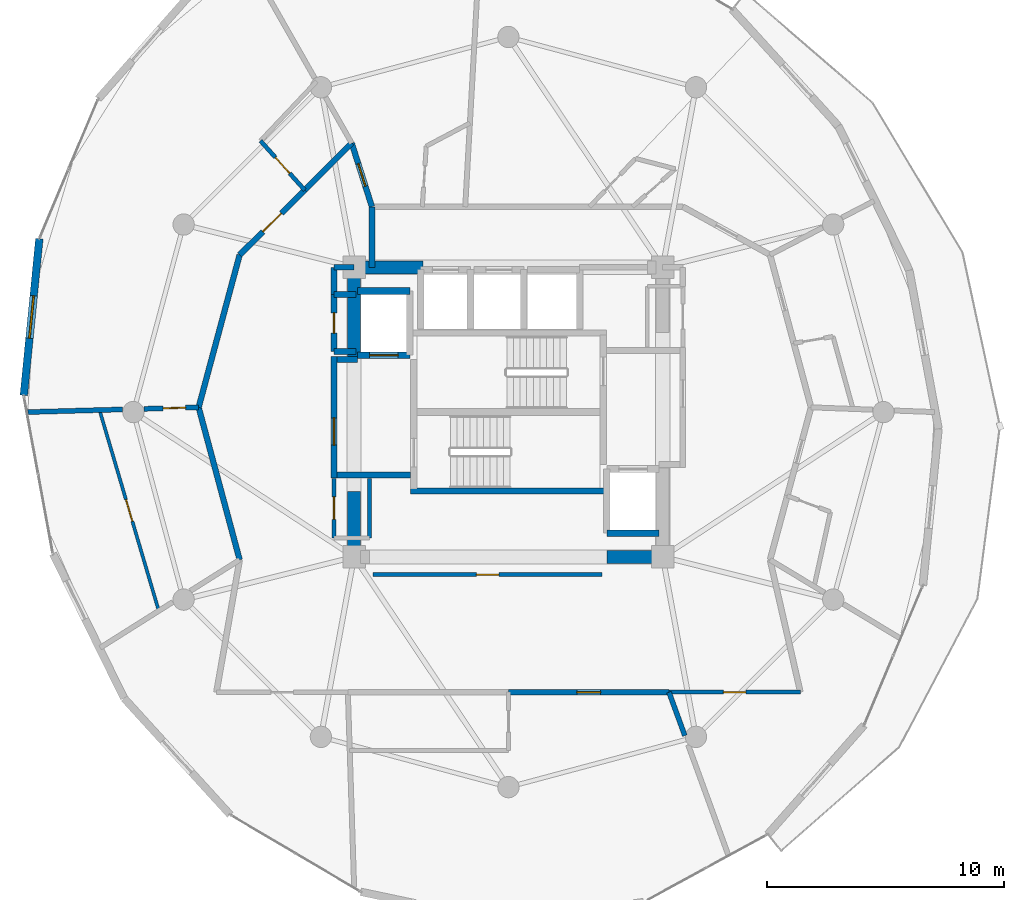
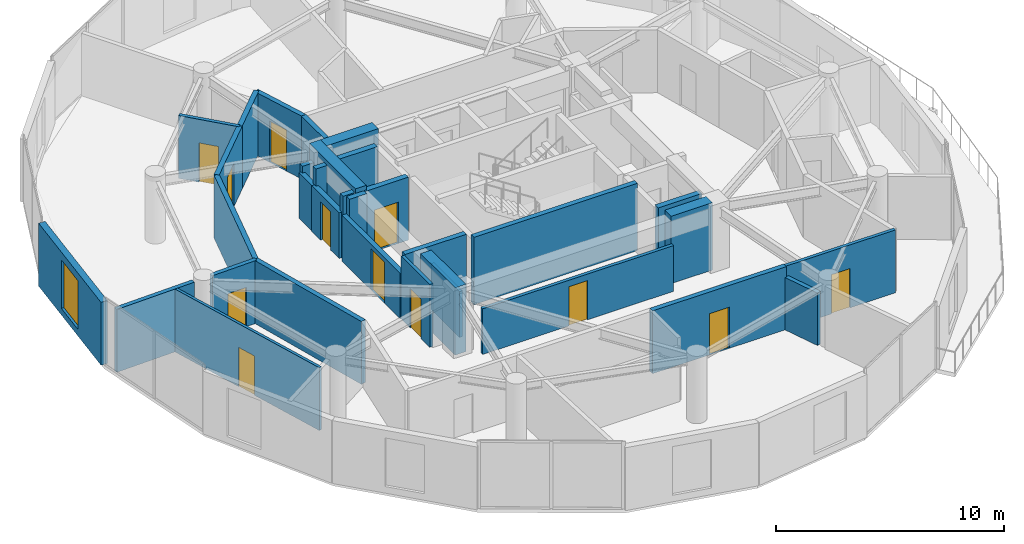
# One storey, part 17 of 21: 33 walls, 12 doors, 1 window, 13 openings.
"""IFC4 building model written with IfcOpenShell, lengths in metres."""

from ifc_helpers import new_model, si_unit, direction, frame, frame_2d, origin, place, context, subcontext, project, spatial, rectangle, extrude, material, layer, layer_set, type_object, element, fill, save


model = new_model("IFC4")

# Units and contexts
model_context = context("Model", 3, precision=1e-05, world=origin(), true_north=direction((0.0, 1.0)))
body_context = subcontext(model_context, "Body", "Model", "MODEL_VIEW")
ifc_project = project(units=[si_unit("LENGTHUNIT", "METRE"), si_unit("AREAUNIT", "SQUARE_METRE"), si_unit("VOLUMEUNIT", "CUBIC_METRE"), si_unit("PLANEANGLEUNIT", "RADIAN"), si_unit("MASSUNIT", "GRAM", prefix="KILO")], contexts=[model_context])

# Site, building, storey
site_placement = place(None, origin())
site = spatial("IfcSite", under=ifc_project, at=site_placement, CompositionType="ELEMENT")
building_placement = place(site_placement, origin())
building = spatial("IfcBuilding", under=site, at=building_placement, Name="Solvirekh Grand Hotel", CompositionType="ELEMENT")
storey_placement = place(building_placement, frame((0.0, 0.0, 223.60009765625)))
storey = spatial("IfcBuildingStorey", under=building, at=storey_placement, Name="L58", CompositionType="ELEMENT", Elevation=223.60009765625)

# Wall
ifc_material_1 = material(Name="Concrete C50/60", Category="concrete")
ifc_layer_1 = layer(ifc_material_1, 0.35009765625)
ifc_layer_set_1 = layer_set([ifc_layer_1], Name="Concrete C50/60")
wall_type_1 = type_object("IfcWallType", Name="CoreDivWall_RC350", PredefinedType="SOLIDWALL", material=ifc_layer_set_1)
wall_1_placement = place(storey_placement, frame((-4.1298828125, -3.324951171875, 0.0), z_axis=(0.0, 0.0, 1.0), x_axis=(1.0, 0.0, 0.0)))
element("IfcWall", 1, at=wall_1_placement, inside=storey, type_object=wall_type_1, Name="L58 core stair box wall ST-S", PredefinedType="SOLIDWALL", context=body_context, shape_type="SweptSolid", body=[
    extrude(rectangle(XDim=8.259765625, YDim=0.25, at=frame_2d((4.1298828125, 0.0))), origin(), (0.0, 0.0, 1.0), 3.599853515625),
])

# Wall, opening, door
ifc_material_2 = material(Name="Concrete C40/50", Category="concrete")
ifc_layer_2 = layer(ifc_material_2, 0.280029296875)
ifc_layer_set_2 = layer_set([ifc_layer_2], Name="Concrete C40/50")
wall_type_2 = type_object("IfcWallType", Name="CoreShaftWall_RC280", PredefinedType="SOLIDWALL", material=ifc_layer_set_2)
wall_2_placement = place(storey_placement, frame((-6.35009765625, 2.39990234375, 0.0), z_axis=(0.0, 0.0, 1.0), x_axis=(1.0, 0.0, 0.0)))
wall_2 = element("IfcWall", 2, at=wall_2_placement, inside=storey, type_object=wall_type_2, Name="L58 FL-1 hoistway S wall", PredefinedType="SOLIDWALL", context=body_context, shape_type="SweptSolid", body=[
    extrude(rectangle(XDim=2.2001953125, YDim=0.280029296875, at=frame_2d((1.10009765625, 0.0))), origin(), (0.0, 0.0, 1.0), 3.35986328125),
])
opening_1_placement = place(wall_2_placement, frame((0.5, 0.0, 0.0)))
opening_1 = element("IfcOpeningElement", 3, at=opening_1_placement, cuts=wall_2, Name="Opening LD02", PredefinedType="OPENING", context=body_context, shape_type="SweptSolid", body=[
    extrude(rectangle(XDim=1.199951171875, YDim=2.199951171875, at=frame_2d((0.60009765625, 1.10009765625))), frame((0.0, 0.14990234375, 0.0), z_axis=(0.0, -1.0, 0.0), x_axis=(1.0, 0.0, 0.0)), (0.0, 0.0, 1.0), 0.300048828125),
])
ifc_material_3 = material(Name="Fire-Rated Steel Door Assembly", Category="steel")
door_type_1 = type_object("IfcDoorType", Name="Door_LiftFF_1200X2200", OperationType="SLIDING_TO_LEFT", PredefinedType="DOOR", material=ifc_material_3)
door_1_placement = place(opening_1_placement, origin())
door_1 = element("IfcDoor", 4, at=door_1_placement, inside=storey, type_object=door_type_1, Name="L58 FL-1 sliding lift landing door", OperationType="SLIDING_TO_LEFT", OverallHeight=2.199951171875, OverallWidth=1.199951171875, PredefinedType="DOOR", context=body_context, shape_type="SweptSolid", body=[
    extrude(rectangle(XDim=1.199951171875, YDim=2.199951171875, at=frame_2d((0.60009765625, 1.10009765625))), frame((0.0, 0.02490234375, 0.0), z_axis=(0.0, -1.0, 0.0), x_axis=(1.0, 0.0, 0.0)), (0.0, 0.0, 1.0), 0.050048828125),
])
fill(opening_1, door_1)

# Walls
for number, where, z_axis, x_axis, name in (
    (5, (-4.14990234375, 5.10009765625, 0.0), (0.0, 0.0, 1.0), (-1.0, 0.0, 0.0), "L58 FL-1 hoistway N wall"),
    (6, (4.14990234375, -5.10009765625, 0.0), (0.0, 0.0, 1.0), (1.0, 0.0, 0.0), "L58 FL-2 hoistway S wall"),
):
    element("IfcWall", number, at=place(storey_placement, frame(where, z_axis=z_axis, x_axis=x_axis)), inside=storey, type_object=wall_type_2, Name=name, PredefinedType="SOLIDWALL", context=body_context, shape_type="SweptSolid", body=[
        extrude(rectangle(XDim=2.2001953125, YDim=0.280029296875, at=frame_2d((1.10009765625, 0.0))), origin(), (0.0, 0.0, 1.0), 3.35986328125),
    ])
ifc_layer_3 = layer(ifc_material_1, 0.550048828125)
ifc_layer_set_3 = layer_set([ifc_layer_3], Name="Concrete C50/60")
wall_type_3 = type_object("IfcWallType", Name="CoreWall_RC550", PredefinedType="SHEAR", material=ifc_layer_set_3)
wall_3_placement = place(storey_placement, frame((4.14990234375, -6.10009765625, 0.0), z_axis=(0.0, 0.0, 1.0), x_axis=(1.0, 0.0, 0.0)))
element("IfcWall", 7, at=wall_3_placement, inside=storey, type_object=wall_type_3, Name="L58 core corner shear wall SE-S", PredefinedType="SHEAR", context=body_context, shape_type="SweptSolid", body=[
    extrude(rectangle(XDim=2.0751953125, YDim=0.550048828125, at=frame_2d((1.03759765625, 0.0))), origin(), (0.0, 0.0, 1.0), 3.599853515625),
])
wall_4_placement = place(storey_placement, frame((-6.22509765625, 6.10009765625, 0.0), z_axis=(0.0, 0.0, 1.0), x_axis=(1.0, 0.0, 0.0)))
element("IfcWall", 8, at=wall_4_placement, inside=storey, type_object=wall_type_3, Name="L58 core corner shear wall NW-N", PredefinedType="SHEAR", context=body_context, shape_type="SweptSolid", body=[
    extrude(rectangle(XDim=2.625, YDim=0.550048828125, at=frame_2d((1.3125, 0.0))), origin(), (0.0, 0.0, 1.0), 3.599853515625),
])
wall_5_placement = place(storey_placement, frame((-6.5, 2.35009765625, 0.0), z_axis=(0.0, 0.0, 1.0), x_axis=(0.0, 1.0, 0.0)))
element("IfcWall", 9, at=wall_5_placement, inside=storey, type_object=wall_type_3, Name="L58 core corner shear wall WN-W", PredefinedType="SHEAR", context=body_context, shape_type="SweptSolid", body=[
    extrude(rectangle(XDim=4.02490234375, YDim=0.550048828125, at=frame_2d((2.012451171875, 0.0))), origin(), (0.0, 0.0, 1.0), 3.599853515625),
])
wall_6_placement = place(storey_placement, frame((-6.5, -6.375, 0.0), z_axis=(0.0, 0.0, 1.0), x_axis=(0.0, 1.0, 0.0)))
element("IfcWall", 10, at=wall_6_placement, inside=storey, type_object=wall_type_3, Name="L58 core corner shear wall WS-W", PredefinedType="SHEAR", context=body_context, shape_type="SweptSolid", body=[
    extrude(rectangle(XDim=3.02490234375, YDim=0.550048828125, at=frame_2d((1.512451171875, 0.0))), origin(), (0.0, 0.0, 1.0), 3.599853515625),
])

# Wall, opening, window
ifc_material_4 = material(Name="Precast concrete C45/55", Category="concrete")
ifc_layer_4 = layer(ifc_material_4, 0.320068359375)
ifc_layer_set_4 = layer_set([ifc_layer_4], Name="Precast concrete C45/55")
wall_type_4 = type_object("IfcWallType", Name="ExtLobbyWall_RC320", PredefinedType="SOLIDWALL", material=ifc_layer_set_4)
wall_7_placement = place(storey_placement, frame((-20.4169921875, 0.700927734375, 0.0), z_axis=(0.0, 0.0, 1.0), x_axis=(0.098848078175, 0.995102536144, 0.0)))
wall_7 = element("IfcWall", 11, at=wall_7_placement, inside=storey, type_object=wall_type_4, Name="L58 exterior structural wall chord 14", PredefinedType="SOLIDWALL", context=body_context, shape_type="SweptSolid", body=[
    extrude(rectangle(XDim=6.636474609375, YDim=0.320068359375, at=frame_2d((3.318359375, 0.0))), origin(), (0.0, 0.0, 1.0), 3.35986328125),
])
opening_2_placement = place(wall_7_placement, frame((2.41796875, 0.0, 0.35009765625)))
opening_2 = element("IfcOpeningElement", 12, at=opening_2_placement, cuts=wall_7, Name="Opening W02", PredefinedType="OPENING", context=body_context, shape_type="SweptSolid", body=[
    extrude(rectangle(XDim=1.800048828125, YDim=2.60009765625, at=frame_2d((0.89990234375, 1.300048828125))), frame((0.0, 0.169921875, 0.0), z_axis=(0.0, -1.0, 0.0), x_axis=(1.0, 0.0, 0.0)), (0.0, 0.0, 1.0), 0.340087890625),
])
ifc_material_5 = material(Name="Low-E Tinted Bronze Laminated Glass", Category="aluminium")
window_type = type_object("IfcWindowType", Name="Win_LobbyExt_1800X2600", PartitioningType="SINGLE_PANEL", PredefinedType="WINDOW", material=ifc_material_5)
window_placement = place(opening_2_placement, origin())
window = element("IfcWindow", 13, at=window_placement, inside=storey, type_object=window_type, Name="L58 panoramic bronze-framed window 14", OverallHeight=2.60009765625, OverallWidth=1.800048828125, PartitioningType="SINGLE_PANEL", PredefinedType="WINDOW", context=body_context, shape_type="SweptSolid", body=[
    extrude(rectangle(XDim=1.800048828125, YDim=2.60009765625, at=frame_2d((0.89990234375, 1.300048828125))), frame((0.0, 0.030029296875, 0.0), z_axis=(0.0, -1.0, 0.0), x_axis=(1.0, 0.0, 0.0)), (0.0, 0.0, 1.0), 0.06005859375),
])
fill(opening_2, window)

# Wall
ifc_material_6 = material(Name="Acoustic Gypsum Partition Assembly")
ifc_layer_5 = layer(ifc_material_6, 0.1650390625)
ifc_layer_set_5 = layer_set([ifc_layer_5], Name="Acoustic Gypsum Partition Assembly")
wall_type_5 = type_object("IfcWallType", Name="Part_BOH_165", PredefinedType="PARTITIONING", material=ifc_layer_set_5)
wall_8_placement = place(storey_placement, frame((-5.85009765625, -5.300048828125, 0.0), z_axis=(0.0, 0.0, 1.0), x_axis=(0.0, 1.0, 0.0)))
element("IfcWall", 14, at=wall_8_placement, inside=storey, type_object=wall_type_5, Name="L58 L58 Core Linen Store wall 2", PredefinedType="PARTITIONING", context=body_context, shape_type="SweptSolid", body=[
    extrude(rectangle(XDim=2.5, YDim=0.1650390625, at=frame_2d((1.25, 0.0))), origin(), (0.0, 0.0, 1.0), 2.44482421875),
])

# Wall, opening, door
wall_9_placement = place(storey_placement, frame((-7.35009765625, -2.800048828125, 0.0), z_axis=(0.0, 0.0, 1.0), x_axis=(0.0, -1.0, 0.0)))
wall_9 = element("IfcWall", 15, at=wall_9_placement, inside=storey, type_object=wall_type_5, Name="L58 L58 Core Linen Store wall 4", PredefinedType="PARTITIONING", context=body_context, shape_type="SweptSolid", body=[
    extrude(rectangle(XDim=2.5, YDim=0.1650390625, at=frame_2d((1.25, 0.0))), origin(), (0.0, 0.0, 1.0), 3.35986328125),
])
opening_3_placement = place(wall_9_placement, frame((0.77490234375, 0.0, 0.0)))
opening_3 = element("IfcOpeningElement", 16, at=opening_3_placement, cuts=wall_9, Name="Opening D10", PredefinedType="OPENING", context=body_context, shape_type="SweptSolid", body=[
    extrude(rectangle(XDim=0.949951171875, YDim=2.10009765625, at=frame_2d((0.47509765625, 1.050048828125))), frame((0.0, 0.092529296875, 0.0), z_axis=(0.0, -1.0, 0.0), x_axis=(1.0, 0.0, 0.0)), (0.0, 0.0, 1.0), 0.18505859375),
])
ifc_material_7 = material(Name="Anodized Bronze Aluminium 6063-T6", Category="aluminium")
door_type_2 = type_object("IfcDoorType", Name="Door_RoomInt_950X2100", OperationType="NOTDEFINED", PredefinedType="DOOR", material=ifc_material_7)
door_2_placement = place(opening_3_placement, origin())
door_2 = element("IfcDoor", 17, at=door_2_placement, inside=storey, type_object=door_type_2, Name="L58 L58 Core Linen Store door", OperationType="SINGLE_SWING_RIGHT", OverallHeight=2.10009765625, OverallWidth=0.949951171875, PredefinedType="DOOR", context=body_context, shape_type="SweptSolid", body=[
    extrude(rectangle(XDim=0.949951171875, YDim=2.10009765625, at=frame_2d((0.47509765625, 1.050048828125))), frame((0.0, 0.02490234375, 0.0), z_axis=(0.0, -1.0, 0.0), x_axis=(1.0, 0.0, 0.0)), (0.0, 0.0, 1.0), 0.050048828125),
])
fill(opening_3, door_2)

wall_10_placement = place(storey_placement, frame((-5.699951171875, -6.85009765625, 0.0), z_axis=(0.0, 0.0, 1.0), x_axis=(1.0, 0.0, 0.0)))
wall_10 = element("IfcWall", 18, at=wall_10_placement, inside=storey, type_object=wall_type_5, Name="L58 Housekeeping & Linen Store wall 1", PredefinedType="PARTITIONING", context=body_context, shape_type="SweptSolid", body=[
    extrude(rectangle(XDim=9.64990234375, YDim=0.1650390625, at=frame_2d((4.824951171875, 0.0))), origin(), (0.0, 0.0, 1.0), 2.44482421875),
])
opening_4_placement = place(wall_10_placement, frame((4.35009765625, 0.0, 0.0)))
opening_4 = element("IfcOpeningElement", 19, at=opening_4_placement, cuts=wall_10, Name="Opening D10", PredefinedType="OPENING", context=body_context, shape_type="SweptSolid", body=[
    extrude(rectangle(XDim=0.949951171875, YDim=2.10009765625, at=frame_2d((0.47509765625, 1.050048828125))), frame((0.0, 0.092529296875, 0.0), z_axis=(0.0, -1.0, 0.0), x_axis=(1.0, 0.0, 0.0)), (0.0, 0.0, 1.0), 0.18505859375),
])
door_3_placement = place(opening_4_placement, origin())
door_3 = element("IfcDoor", 20, at=door_3_placement, inside=storey, type_object=door_type_2, Name="L58 Housekeeping & Linen Store door", OperationType="SINGLE_SWING_RIGHT", OverallHeight=2.10009765625, OverallWidth=0.949951171875, PredefinedType="DOOR", context=body_context, shape_type="SweptSolid", body=[
    extrude(rectangle(XDim=0.949951171875, YDim=2.10009765625, at=frame_2d((0.47509765625, 1.050048828125))), frame((0.0, 0.02490234375, 0.0), z_axis=(0.0, -1.0, 0.0), x_axis=(1.0, 0.0, 0.0)), (0.0, 0.0, 1.0), 0.050048828125),
])
fill(opening_4, door_3)

wall_11_placement = place(storey_placement, frame((6.764892578125, -11.800048828125, 0.0), z_axis=(0.0, 0.0, 1.0), x_axis=(1.0, 0.0, 0.0)))
wall_11 = element("IfcWall", 21, at=wall_11_placement, inside=storey, type_object=wall_type_5, Name="L58 L58 Butler Valet & Linen Steward Room entrance wall", PredefinedType="PARTITIONING", context=body_context, shape_type="SweptSolid", body=[
    extrude(rectangle(XDim=5.53515625, YDim=0.1650390625, at=frame_2d((2.767578125, 0.0))), origin(), (0.0, 0.0, 1.0), 3.35986328125),
])
opening_5_placement = place(wall_11_placement, frame((2.29296875, 0.0, 0.0)))
opening_5 = element("IfcOpeningElement", 22, at=opening_5_placement, cuts=wall_11, Name="Opening D10", PredefinedType="OPENING", context=body_context, shape_type="SweptSolid", body=[
    extrude(rectangle(XDim=0.949951171875, YDim=2.10009765625, at=frame_2d((0.47509765625, 1.050048828125))), frame((0.0, 0.092529296875, 0.0), z_axis=(0.0, -1.0, 0.0), x_axis=(1.0, 0.0, 0.0)), (0.0, 0.0, 1.0), 0.18505859375),
])
door_4_placement = place(opening_5_placement, origin())
door_4 = element("IfcDoor", 23, at=door_4_placement, inside=storey, type_object=door_type_2, Name="L58 L58 Butler Valet & Linen Steward Room entrance door", OperationType="SINGLE_SWING_LEFT", OverallHeight=2.10009765625, OverallWidth=0.949951171875, PredefinedType="DOOR", context=body_context, shape_type="SweptSolid", body=[
    extrude(rectangle(XDim=0.949951171875, YDim=2.10009765625, at=frame_2d((0.47509765625, 1.050048828125))), frame((0.0, 0.02490234375, 0.0), z_axis=(0.0, -1.0, 0.0), x_axis=(1.0, 0.0, 0.0)), (0.0, 0.0, 1.0), 0.050048828125),
])
fill(opening_5, door_4)

ifc_layer_6 = layer(ifc_material_6, 0.239990234375)
ifc_layer_set_6 = layer_set([ifc_layer_6], Name="Acoustic Gypsum Partition Assembly")
wall_type_6 = type_object("IfcWallType", Name="Part_Corridor_240", PredefinedType="PARTITIONING", material=ifc_layer_set_6)
wall_12_placement = place(storey_placement, frame((-7.35009765625, -2.780029296875, 0.0), z_axis=(0.0, 0.0, 1.0), x_axis=(0.0, 1.0, 0.0)))
wall_12 = element("IfcWall", 24, at=wall_12_placement, inside=storey, type_object=wall_type_6, Name="L58 west firefighting lobby smoke screen wall", PredefinedType="PARTITIONING", context=body_context, shape_type="SweptSolid", body=[
    extrude(rectangle(XDim=5.1201171875, YDim=0.239990234375, at=frame_2d((2.56005859375, 0.0))), origin(), (0.0, 0.0, 1.0), 2.44482421875),
])
opening_6_placement = place(wall_12_placement, frame((1.388916015625, 0.0, 0.0)))
opening_6 = element("IfcOpeningElement", 25, at=opening_6_placement, cuts=wall_12, Name="Opening D06", PredefinedType="OPENING", context=body_context, shape_type="SweptSolid", body=[
    extrude(rectangle(XDim=1.14990234375, YDim=2.199951171875, at=frame_2d((0.574951171875, 1.10009765625))), frame((0.0, 0.1298828125, 0.0), z_axis=(0.0, -1.0, 0.0), x_axis=(1.0, 0.0, 0.0)), (0.0, 0.0, 1.0), 0.260009765625),
])
door_type_3 = type_object("IfcDoorType", Name="Door_FFLobby_1150X2200", OperationType="NOTDEFINED", PredefinedType="DOOR", material=ifc_material_3)
door_5_placement = place(opening_6_placement, origin())
door_5 = element("IfcDoor", 26, at=door_5_placement, inside=storey, type_object=door_type_3, Name="L58 west firefighting lobby smoke door", OperationType="SINGLE_SWING_LEFT", OverallHeight=2.199951171875, OverallWidth=1.14990234375, PredefinedType="DOOR", context=body_context, shape_type="SweptSolid", body=[
    extrude(rectangle(XDim=1.14990234375, YDim=2.199951171875, at=frame_2d((0.574951171875, 1.10009765625))), frame((0.0, 0.02490234375, 0.0), z_axis=(0.0, -1.0, 0.0), x_axis=(1.0, 0.0, 0.0)), (0.0, 0.0, 1.0), 0.050048828125),
])
fill(opening_6, door_5)

# Walls
wall_13_placement = place(storey_placement, frame((-5.75, 6.10009765625, 0.0), z_axis=(0.0, 0.0, 1.0), x_axis=(0.0, 1.0, 0.0)))
element("IfcWall", 27, at=wall_13_placement, inside=storey, type_object=wall_type_6, Name="L58 north lift lobby west wall", PredefinedType="PARTITIONING", context=body_context, shape_type="SweptSolid", body=[
    extrude(rectangle(XDim=2.5498046875, YDim=0.239990234375, at=frame_2d((1.27490234375, 0.0))), origin(), (0.0, 0.0, 1.0), 3.35986328125),
])
wall_14_placement = place(storey_placement, frame((-7.35009765625, 4.949951171875, 0.0), z_axis=(0.0, 0.0, 1.0), x_axis=(0.0, 1.0, 0.0)))
element("IfcWall", 28, at=wall_14_placement, inside=storey, type_object=wall_type_6, Name="L58 NW core cheek closure wall", PredefinedType="PARTITIONING", context=body_context, shape_type="SweptSolid", body=[
    extrude(rectangle(XDim=1.150146484375, YDim=0.239990234375, at=frame_2d((0.5751953125, 0.0))), origin(), (0.0, 0.0, 1.0), 2.44482421875),
])
wall_15_placement = place(storey_placement, frame((-7.35009765625, 6.10009765625, 0.0), z_axis=(0.0, 0.0, 1.0), x_axis=(1.0, 0.0, 0.0)))
element("IfcWall", 29, at=wall_15_placement, inside=storey, type_object=wall_type_6, Name="L58 NW core corner tie wall", PredefinedType="PARTITIONING", context=body_context, shape_type="SweptSolid", body=[
    extrude(rectangle(XDim=0.85009765625, YDim=0.239990234375, at=frame_2d((0.425048828125, 0.0))), origin(), (0.0, 0.0, 1.0), 2.80078125),
])

# Wall, opening, door
wall_16_placement = place(storey_placement, frame((-6.60009765625, 11.327880859375, 0.0), z_axis=(0.0, 0.0, 1.0), x_axis=(0.30256159068, -0.953129835775, 0.0)))
wall_16 = element("IfcWall", 30, at=wall_16_placement, inside=storey, type_object=wall_type_6, Name="L58 Deluxe Guestroom 6002 entrance wall", PredefinedType="PARTITIONING", context=body_context, shape_type="SweptSolid", body=[
    extrude(rectangle(XDim=2.8095703125, YDim=0.239990234375, at=frame_2d((1.40478515625, 0.0))), origin(), (0.0, 0.0, 1.0), 3.35986328125),
])
opening_7_placement = place(wall_16_placement, frame((0.905029296875, 0.0, 0.0)))
opening_7 = element("IfcOpeningElement", 31, at=opening_7_placement, cuts=wall_16, Name="Opening D07", PredefinedType="OPENING", context=body_context, shape_type="SweptSolid", body=[
    extrude(rectangle(XDim=1.0, YDim=2.199951171875, at=frame_2d((0.5, 1.10009765625))), frame((0.0, 0.1298828125, 0.0), z_axis=(0.0, -1.0, 0.0), x_axis=(1.0, 0.0, 0.0)), (0.0, 0.0, 1.0), 0.260009765625),
])
door_type_4 = type_object("IfcDoorType", Name="Door_GuestEntry_1000X2200", OperationType="NOTDEFINED", PredefinedType="DOOR", material=ifc_material_3)
door_6_placement = place(opening_7_placement, origin())
door_6 = element("IfcDoor", 32, at=door_6_placement, inside=storey, type_object=door_type_4, Name="L58 Deluxe Guestroom 6002 entrance door", OperationType="SINGLE_SWING_LEFT", OverallHeight=2.199951171875, OverallWidth=1.0, PredefinedType="DOOR", context=body_context, shape_type="SweptSolid", body=[
    extrude(rectangle(XDim=1.0, YDim=2.199951171875, at=frame_2d((0.5, 1.10009765625))), frame((0.0, 0.02490234375, 0.0), z_axis=(0.0, -1.0, 0.0), x_axis=(1.0, 0.0, 0.0)), (0.0, 0.0, 1.0), 0.050048828125),
])
fill(opening_7, door_6)

# Walls
wall_17_placement = place(storey_placement, frame((-6.60009765625, 11.327880859375, 0.0), z_axis=(0.0, 0.0, 1.0), x_axis=(-0.708544738437, -0.705665893772, 0.0)))
element("IfcWall", 33, at=wall_17_placement, inside=storey, type_object=wall_type_6, Name="L58 En-suite Bathroom 6003 corridor backing wall", PredefinedType="PARTITIONING", context=body_context, shape_type="SweptSolid", body=[
    extrude(rectangle(XDim=2.798583984375, YDim=0.239990234375, at=frame_2d((1.3994140625, 0.0))), origin(), (0.0, 0.0, 1.0), 3.35986328125),
])
wall_18_placement = place(storey_placement, frame((-11.322021484375, 6.625, 0.0), z_axis=(0.0, 0.0, 1.0), x_axis=(-0.259722121469, -0.965683395125, 0.0)))
element("IfcWall", 34, at=wall_18_placement, inside=storey, type_object=wall_type_6, Name="L58 Diplomatic Suite 6003 Living Room corridor wall 1", PredefinedType="PARTITIONING", context=body_context, shape_type="SweptSolid", body=[
    extrude(rectangle(XDim=6.6533203125, YDim=0.239990234375, at=frame_2d((3.32666015625, 0.0))), origin(), (0.0, 0.0, 1.0), 3.35986328125),
])

# Wall, opening, door
wall_19_placement = place(storey_placement, frame((-8.5830078125, 9.35302734375, 0.0), z_axis=(0.0, 0.0, 1.0), x_axis=(-0.70852632163, -0.70568438523, 0.0)))
wall_19 = element("IfcWall", 35, at=wall_19_placement, inside=storey, type_object=wall_type_6, Name="L58 Diplomatic Suite 6003 Living Room entrance wall", PredefinedType="PARTITIONING", context=body_context, shape_type="SweptSolid", body=[
    extrude(rectangle(XDim=3.86572265625, YDim=0.239990234375, at=frame_2d((1.932861328125, 0.0))), origin(), (0.0, 0.0, 1.0), 3.35986328125),
])
opening_8_placement = place(wall_19_placement, frame((1.383056640625, 0.0, 0.0)))
opening_8 = element("IfcOpeningElement", 36, at=opening_8_placement, cuts=wall_19, Name="Opening D08", PredefinedType="OPENING", context=body_context, shape_type="SweptSolid", body=[
    extrude(rectangle(XDim=1.10009765625, YDim=2.300048828125, at=frame_2d((0.550048828125, 1.14990234375))), frame((0.0, 0.1298828125, 0.0), z_axis=(0.0, -1.0, 0.0), x_axis=(1.0, 0.0, 0.0)), (0.0, 0.0, 1.0), 0.260009765625),
])
door_type_5 = type_object("IfcDoorType", Name="Door_SuiteEntry_1100X2300", OperationType="NOTDEFINED", PredefinedType="DOOR", material=ifc_material_3)
door_7_placement = place(opening_8_placement, origin())
door_7 = element("IfcDoor", 37, at=door_7_placement, inside=storey, type_object=door_type_5, Name="L58 Diplomatic Suite 6003 Living Room entrance door", OperationType="SINGLE_SWING_LEFT", OverallHeight=2.300048828125, OverallWidth=1.10009765625, PredefinedType="DOOR", context=body_context, shape_type="SweptSolid", body=[
    extrude(rectangle(XDim=1.10009765625, YDim=2.300048828125, at=frame_2d((0.550048828125, 1.14990234375))), frame((0.0, 0.02490234375, 0.0), z_axis=(0.0, -1.0, 0.0), x_axis=(1.0, 0.0, 0.0)), (0.0, 0.0, 1.0), 0.050048828125),
])
fill(opening_8, door_7)

# Wall
wall_20_placement = place(storey_placement, frame((-13.050048828125, 0.199951171875, 0.0), z_axis=(0.0, 0.0, 1.0), x_axis=(0.259722121469, -0.965683395125, 0.0)))
element("IfcWall", 38, at=wall_20_placement, inside=storey, type_object=wall_type_6, Name="L58 Diplomatic Suite 6003 Suite Foyer corridor enclosure wall", PredefinedType="PARTITIONING", context=body_context, shape_type="SweptSolid", body=[
    extrude(rectangle(XDim=6.6533203125, YDim=0.239990234375, at=frame_2d((3.32666015625, 0.0))), origin(), (0.0, 0.0, 1.0), 3.35986328125),
])

# Wall, opening, door
wall_21_placement = place(storey_placement, frame((0.0, -11.800048828125, 0.0), z_axis=(0.0, 0.0, 1.0), x_axis=(1.0, 0.0, 0.0)))
wall_21 = element("IfcWall", 39, at=wall_21_placement, inside=storey, type_object=wall_type_6, Name="L58 Deluxe Guestroom 6006 entrance wall", PredefinedType="PARTITIONING", context=body_context, shape_type="SweptSolid", body=[
    extrude(rectangle(XDim=6.764892578125, YDim=0.239990234375, at=frame_2d((3.38232421875, 0.0))), origin(), (0.0, 0.0, 1.0), 3.35986328125),
])
opening_9_placement = place(wall_21_placement, frame((2.882080078125, 0.0, 0.0)))
opening_9 = element("IfcOpeningElement", 40, at=opening_9_placement, cuts=wall_21, Name="Opening D07", PredefinedType="OPENING", context=body_context, shape_type="SweptSolid", body=[
    extrude(rectangle(XDim=1.0, YDim=2.199951171875, at=frame_2d((0.5, 1.10009765625))), frame((0.0, 0.1298828125, 0.0), z_axis=(0.0, -1.0, 0.0), x_axis=(1.0, 0.0, 0.0)), (0.0, 0.0, 1.0), 0.260009765625),
])
door_8_placement = place(opening_9_placement, origin())
door_8 = element("IfcDoor", 41, at=door_8_placement, inside=storey, type_object=door_type_4, Name="L58 Deluxe Guestroom 6006 entrance door", OperationType="SINGLE_SWING_RIGHT", OverallHeight=2.199951171875, OverallWidth=1.0, PredefinedType="DOOR", context=body_context, shape_type="SweptSolid", body=[
    extrude(rectangle(XDim=1.0, YDim=2.199951171875, at=frame_2d((0.5, 1.10009765625))), frame((0.0, 0.02490234375, 0.0), z_axis=(0.0, -1.0, 0.0), x_axis=(1.0, 0.0, 0.0)), (0.0, 0.0, 1.0), 0.050048828125),
])
fill(opening_9, door_8)

# Walls
ifc_layer_7 = layer(ifc_material_6, 0.260009765625)
ifc_layer_set_7 = layer_set([ifc_layer_7], Name="Acoustic Gypsum Partition Assembly")
wall_type_7 = type_object("IfcWallType", Name="Part_LobbyFF_260", PredefinedType="PARTITIONING", material=ifc_layer_set_7)
wall_22_placement = place(storey_placement, frame((-7.22509765625, -2.64990234375, 0.0), z_axis=(0.0, 0.0, 1.0), x_axis=(1.0, 0.0, 0.0)))
element("IfcWall", 42, at=wall_22_placement, inside=storey, type_object=wall_type_7, Name="L58 west firefighting lobby south partition", PredefinedType="PARTITIONING", context=body_context, shape_type="SweptSolid", body=[
    extrude(rectangle(XDim=3.09521484375, YDim=0.260009765625, at=frame_2d((1.547607421875, 0.0))), origin(), (0.0, 0.0, 1.0), 3.35986328125),
])
wall_23_placement = place(storey_placement, frame((-7.22509765625, 2.2099609375, 0.0), z_axis=(0.0, 0.0, 1.0), x_axis=(1.0, 0.0, 0.0)))
element("IfcWall", 43, at=wall_23_placement, inside=storey, type_object=wall_type_7, Name="L58 west firefighting lobby NW cheek", PredefinedType="PARTITIONING", context=body_context, shape_type="SweptSolid", body=[
    extrude(rectangle(XDim=0.875, YDim=0.260009765625, at=frame_2d((0.4375, 0.0))), origin(), (0.0, 0.0, 1.0), 3.35986328125),
])
for number, where, z_axis, x_axis, name in (
    (44, (-7.35009765625, 4.949951171875, 0.0), (0.0, 0.0, 1.0), (1.0, 0.0, 0.0), "L58 NW telecom metering cupboard north wall"),
    (45, (-7.35009765625, 2.550048828125, 0.0), (0.0, 0.0, 1.0), (1.0, 0.0, 0.0), "L58 NW telecom metering cupboard south wall"),
):
    element("IfcWall", number, at=place(storey_placement, frame(where, z_axis=z_axis, x_axis=x_axis)), inside=storey, type_object=wall_type_7, Name=name, PredefinedType="PARTITIONING", context=body_context, shape_type="SweptSolid", body=[
        extrude(rectangle(XDim=0.93017578125, YDim=0.260009765625, at=frame_2d((0.465087890625, 0.0))), origin(), (0.0, 0.0, 1.0), 3.35986328125),
    ])

# Wall, opening, door
wall_24_placement = place(storey_placement, frame((-7.35009765625, 2.550048828125, 0.0), z_axis=(0.0, 0.0, 1.0), x_axis=(0.0, 1.0, 0.0)))
wall_24 = element("IfcWall", 46, at=wall_24_placement, inside=storey, type_object=wall_type_7, Name="L58 NW telecom metering cupboard access wall", PredefinedType="PARTITIONING", context=body_context, shape_type="SweptSolid", body=[
    extrude(rectangle(XDim=2.39990234375, YDim=0.260009765625, at=frame_2d((1.199951171875, 0.0))), origin(), (0.0, 0.0, 1.0), 2.44482421875),
])
opening_10_placement = place(wall_24_placement, frame((0.77490234375, 0.0, 0.0)))
opening_10 = element("IfcOpeningElement", 47, at=opening_10_placement, cuts=wall_24, Name="Opening D13", PredefinedType="OPENING", context=body_context, shape_type="SweptSolid", body=[
    extrude(rectangle(XDim=0.85009765625, YDim=2.050048828125, at=frame_2d((0.425048828125, 1.02490234375))), frame((0.0, 0.14013671875, 0.0), z_axis=(0.0, -1.0, 0.0), x_axis=(1.0, 0.0, 0.0)), (0.0, 0.0, 1.0), 0.280029296875),
])
door_type_6 = type_object("IfcDoorType", Name="Door_RiserShaft_850X2050", OperationType="NOTDEFINED", PredefinedType="DOOR", material=ifc_material_3)
door_9_placement = place(opening_10_placement, origin())
door_9 = element("IfcDoor", 48, at=door_9_placement, inside=storey, type_object=door_type_6, Name="L58 telecom metering cupboard access door", OperationType="SINGLE_SWING_LEFT", OverallHeight=2.050048828125, OverallWidth=0.85009765625, PredefinedType="DOOR", context=body_context, shape_type="SweptSolid", body=[
    extrude(rectangle(XDim=0.85009765625, YDim=2.050048828125, at=frame_2d((0.425048828125, 1.02490234375))), frame((0.0, 0.02490234375, 0.0), z_axis=(0.0, -1.0, 0.0), x_axis=(1.0, 0.0, 0.0)), (0.0, 0.0, 1.0), 0.050048828125),
])
fill(opening_10, door_9)

ifc_layer_8 = layer(ifc_material_6, 0.135009765625)
ifc_layer_set_8 = layer_set([ifc_layer_8], Name="Acoustic Gypsum Partition Assembly")
wall_type_8 = type_object("IfcWallType", Name="Part_RoomInt_135", PredefinedType="PARTITIONING", material=ifc_layer_set_8)
wall_25_placement = place(storey_placement, frame((-17.22509765625, 0.083984375, 0.0), z_axis=(0.0, 0.0, 1.0), x_axis=(0.283077593479, -0.959097010771, 0.0)))
wall_25 = element("IfcWall", 49, at=wall_25_placement, inside=storey, type_object=wall_type_8, Name="L58 Diplomatic Suite 6003 Suite Foyer bedroom screen wall", PredefinedType="PARTITIONING", context=body_context, shape_type="SweptSolid", body=[
    extrude(rectangle(XDim=8.817626953125, YDim=0.135009765625, at=frame_2d((4.40869140625, 0.0))), origin(), (0.0, 0.0, 1.0), 3.35986328125),
])
opening_11_placement = place(wall_25_placement, frame((3.93408203125, 0.0, 0.0)))
opening_11 = element("IfcOpeningElement", 50, at=opening_11_placement, cuts=wall_25, Name="Opening D10", PredefinedType="OPENING", context=body_context, shape_type="SweptSolid", body=[
    extrude(rectangle(XDim=0.949951171875, YDim=2.10009765625, at=frame_2d((0.47509765625, 1.050048828125))), frame((0.0, 0.07763671875, 0.0), z_axis=(0.0, -1.0, 0.0), x_axis=(1.0, 0.0, 0.0)), (0.0, 0.0, 1.0), 0.155029296875),
])
door_10_placement = place(opening_11_placement, origin())
door_10 = element("IfcDoor", 51, at=door_10_placement, inside=storey, type_object=door_type_2, Name="L58 Diplomatic Suite 6003 Suite Foyer master bedroom door", OperationType="SINGLE_SWING_LEFT", OverallHeight=2.10009765625, OverallWidth=0.949951171875, PredefinedType="DOOR", context=body_context, shape_type="SweptSolid", body=[
    extrude(rectangle(XDim=0.949951171875, YDim=2.10009765625, at=frame_2d((0.47509765625, 1.050048828125))), frame((0.0, 0.02490234375, 0.0), z_axis=(0.0, -1.0, 0.0), x_axis=(1.0, 0.0, 0.0)), (0.0, 0.0, 1.0), 0.050048828125),
])
fill(opening_11, door_10)

ifc_layer_9 = layer(ifc_material_6, 0.2099609375)
ifc_layer_set_9 = layer_set([ifc_layer_9], Name="Acoustic Gypsum Partition Assembly")
wall_type_9 = type_object("IfcWallType", Name="Part_SuiteDemise_210", PredefinedType="PARTITIONING", material=ifc_layer_set_9)
wall_26_placement = place(storey_placement, frame((-13.050048828125, 0.199951171875, 0.0), z_axis=(0.0, 0.0, 1.0), x_axis=(-0.999613520241, -0.027799463146, 0.0)))
wall_26 = element("IfcWall", 52, at=wall_26_placement, inside=storey, type_object=wall_type_9, Name="L58 suite radial wall 7 (A)", PredefinedType="PARTITIONING", context=body_context, shape_type="SweptSolid", body=[
    extrude(rectangle(XDim=2.301025390625, YDim=0.2099609375, at=frame_2d((1.150390625, 0.0))), origin(), (0.0, 0.0, 1.0), 3.35986328125),
])
opening_12_placement = place(wall_26_placement, frame((0.550048828125, 0.0, 0.0)))
opening_12 = element("IfcOpeningElement", 53, at=opening_12_placement, cuts=wall_26, Name="Opening D10", PredefinedType="OPENING", context=body_context, shape_type="SweptSolid", body=[
    extrude(rectangle(XDim=0.949951171875, YDim=2.10009765625, at=frame_2d((0.47509765625, 1.050048828125))), frame((0.0, 0.114990234375, 0.0), z_axis=(0.0, -1.0, 0.0), x_axis=(1.0, 0.0, 0.0)), (0.0, 0.0, 1.0), 0.22998046875),
])
door_11_placement = place(opening_12_placement, origin())
door_11 = element("IfcDoor", 54, at=door_11_placement, inside=storey, type_object=door_type_2, Name="L58 Diplomatic Suite 6003 Suite Foyer suite connecting door", OperationType="SINGLE_SWING_RIGHT", OverallHeight=2.10009765625, OverallWidth=0.949951171875, PredefinedType="DOOR", context=body_context, shape_type="SweptSolid", body=[
    extrude(rectangle(XDim=0.949951171875, YDim=2.10009765625, at=frame_2d((0.47509765625, 1.050048828125))), frame((0.0, 0.02490234375, 0.0), z_axis=(0.0, -1.0, 0.0), x_axis=(1.0, 0.0, 0.0)), (0.0, 0.0, 1.0), 0.050048828125),
])
fill(opening_12, door_11)

# Walls
wall_27_placement = place(storey_placement, frame((-16.257080078125, 0.111083984375, 0.0), z_axis=(0.0, 0.0, 1.0), x_axis=(-0.999612863233, -0.027823077798, 0.0)))
element("IfcWall", 55, at=wall_27_placement, inside=storey, type_object=wall_type_9, Name="L58 suite radial wall 7 (B)", PredefinedType="PARTITIONING", context=body_context, shape_type="SweptSolid", body=[
    extrude(rectangle(XDim=3.992431640625, YDim=0.2099609375, at=frame_2d((1.99609375, 0.0))), origin(), (0.0, 0.0, 1.0), 3.35986328125),
])
wall_28_placement = place(storey_placement, frame((6.764892578125, -11.800048828125, 0.0), z_axis=(0.0, 0.0, 1.0), x_axis=(0.342335512807, -0.939577775743, 0.0)))
element("IfcWall", 56, at=wall_28_placement, inside=storey, type_object=wall_type_9, Name="L58 Deluxe Guestroom 6006 dividing partition 1 (A)", PredefinedType="PARTITIONING", context=body_context, shape_type="SweptSolid", body=[
    extrude(rectangle(XDim=1.951904296875, YDim=0.2099609375, at=frame_2d((0.97607421875, 0.0))), origin(), (0.0, 0.0, 1.0), 2.80078125),
])

# Wall, opening, door
ifc_layer_10 = layer(ifc_material_6, 0.175048828125)
ifc_layer_set_10 = layer_set([ifc_layer_10], Name="Acoustic Gypsum Partition Assembly")
wall_type_10 = type_object("IfcWallType", Name="Plumb_Ensuite_175", PredefinedType="PLUMBINGWALL", material=ifc_layer_set_10)
wall_29_placement = place(storey_placement, frame((-8.5830078125, 9.35302734375, 0.0), z_axis=(0.0, 0.0, 1.0), x_axis=(-0.667700723626, 0.74442981111, 0.0)))
wall_29 = element("IfcWall", 57, at=wall_29_placement, inside=storey, type_object=wall_type_10, Name="L58 En-suite Bathroom 6003 entry plumbing wall", PredefinedType="PLUMBINGWALL", context=body_context, shape_type="SweptSolid", body=[
    extrude(rectangle(XDim=2.787353515625, YDim=0.175048828125, at=frame_2d((1.3935546875, 0.0))), origin(), (0.0, 0.0, 1.0), 3.35986328125),
])
opening_13_placement = place(wall_29_placement, frame((0.944091796875, 0.0, 0.0)))
opening_13 = element("IfcOpeningElement", 58, at=opening_13_placement, cuts=wall_29, Name="Opening D09", PredefinedType="OPENING", context=body_context, shape_type="SweptSolid", body=[
    extrude(rectangle(XDim=0.89990234375, YDim=2.10009765625, at=frame_2d((0.449951171875, 1.050048828125))), frame((0.0, 0.09765625, 0.0), z_axis=(0.0, -1.0, 0.0), x_axis=(1.0, 0.0, 0.0)), (0.0, 0.0, 1.0), 0.195068359375),
])
door_type_7 = type_object("IfcDoorType", Name="Door_Ensuite_900X2100", OperationType="NOTDEFINED", PredefinedType="DOOR", material=ifc_material_7)
door_12_placement = place(opening_13_placement, origin())
door_12 = element("IfcDoor", 59, at=door_12_placement, inside=storey, type_object=door_type_7, Name="L58 En-suite Bathroom 6003 door", OperationType="SINGLE_SWING_RIGHT", OverallHeight=2.10009765625, OverallWidth=0.89990234375, PredefinedType="DOOR", context=body_context, shape_type="SweptSolid", body=[
    extrude(rectangle(XDim=0.89990234375, YDim=2.10009765625, at=frame_2d((0.449951171875, 1.050048828125))), frame((0.0, 0.02490234375, 0.0), z_axis=(0.0, -1.0, 0.0), x_axis=(1.0, 0.0, 0.0)), (0.0, 0.0, 1.0), 0.050048828125),
])
fill(opening_13, door_12)

save(model, "model.ifc")
